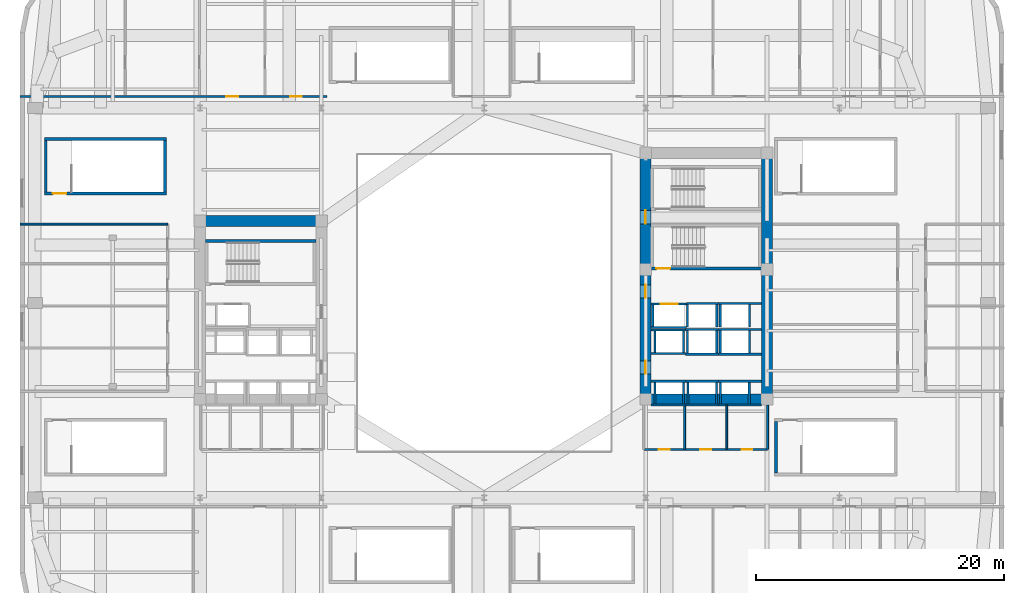
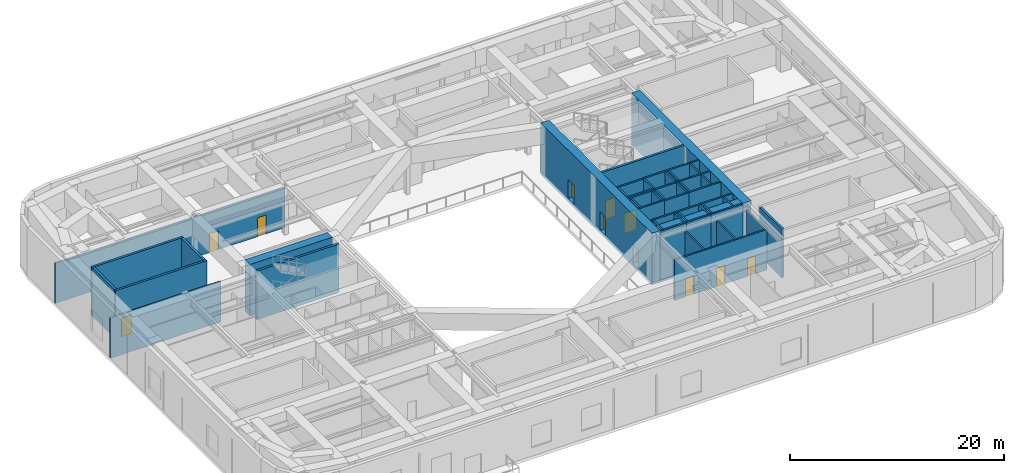
# One storey, part 8 of 16: 50 walls, 11 doors, 11 openings.
"""IFC4 building model written with IfcOpenShell, lengths in metres."""

from ifc_helpers import new_model, si_unit, direction, frame, frame_2d, origin, place, context, subcontext, project, spatial, rectangle, extrude, material, layer, layer_set, type_object, element, fill, save


model = new_model("IFC4")

# Units and contexts
model_context = context("Model", 3, precision=1e-05, world=origin(), true_north=direction((0.0, 1.0)))
body_context = subcontext(model_context, "Body", "Model", "MODEL_VIEW")
ifc_project = project(units=[si_unit("LENGTHUNIT", "METRE"), si_unit("AREAUNIT", "SQUARE_METRE"), si_unit("VOLUMEUNIT", "CUBIC_METRE"), si_unit("PLANEANGLEUNIT", "RADIAN"), si_unit("MASSUNIT", "GRAM", prefix="KILO")], contexts=[model_context])

# Site, building, storey
site_placement = place(None, origin())
site = spatial("IfcSite", under=ifc_project, at=site_placement, CompositionType="ELEMENT")
building_placement = place(site_placement, origin())
building = spatial("IfcBuilding", under=site, at=building_placement, Name="Kolvaren Arena Tower", CompositionType="ELEMENT")
storey_placement = place(building_placement, frame((0.0, 0.0, 28.0)))
storey = spatial("IfcBuildingStorey", under=building, at=storey_placement, Name="L05", CompositionType="ELEMENT", Elevation=28.0)

# Wall
ifc_material_1 = material(Name="Gypsum board acoustic assembly", Category="gypsum")
ifc_layer_1 = layer(ifc_material_1, 0.159912109375)
ifc_layer_set_1 = layer_set([ifc_layer_1], Name="Gypsum board acoustic assembly")
wall_type_1 = type_object("IfcWallType", Name="CORR-160", PredefinedType="PARTITIONING", material=ifc_layer_set_1)
wall_1_placement = place(storey_placement, frame((0.0, 33.60009765625, 0.0), z_axis=(0.0, 0.0, 1.0), x_axis=(1.0, 0.0, 0.0)))
element("IfcWall", 1, at=wall_1_placement, inside=storey, type_object=wall_type_1, Name="Interior Partition Wall (L05)", PredefinedType="PARTITIONING", context=body_context, shape_type="SweptSolid", body=[
    extrude(rectangle(XDim=11.919921875, YDim=0.159912109375, at=frame_2d((5.9599609375, 0.0))), origin(), (0.0, 0.0, 1.0), 4.610107421875),
])

# Wall, openings, doors
wall_2_placement = place(storey_placement, frame((0.0, 43.919921875, 0.0), z_axis=(0.0, 0.0, 1.0), x_axis=(1.0, 0.0, 0.0)))
wall_2 = element("IfcWall", 2, at=wall_2_placement, inside=storey, type_object=wall_type_1, Name="Interior Partition Wall (L05)", PredefinedType="PARTITIONING", context=body_context, shape_type="SweptSolid", body=[
    extrude(rectangle(XDim=24.800048828125, YDim=0.159912109375, at=frame_2d((12.39990234375, 0.0))), origin(), (0.0, 0.0, 1.0), 4.610107421875),
])
opening_1_placement = place(wall_2_placement, frame((16.669921875, 0.0, 0.0)))
opening_1 = element("IfcOpeningElement", 3, at=opening_1_placement, cuts=wall_2, Name="Opening D05", PredefinedType="OPENING", context=body_context, shape_type="SweptSolid", body=[
    extrude(rectangle(XDim=0.949951171875, YDim=2.14990234375, at=frame_2d((0.47509765625, 1.074951171875))), frame((0.0, 0.08984375, 0.0), z_axis=(0.0, -1.0, 0.0), x_axis=(1.0, 0.0, 0.0)), (0.0, 0.0, 1.0), 0.179931640625),
])
opening_2_placement = place(wall_2_placement, frame((21.820068359375, 0.0, 0.0)))
opening_2 = element("IfcOpeningElement", 4, at=opening_2_placement, cuts=wall_2, Name="Opening D05", PredefinedType="OPENING", context=body_context, shape_type="SweptSolid", body=[
    extrude(rectangle(XDim=0.949951171875, YDim=2.14990234375, at=frame_2d((0.47509765625, 1.074951171875))), frame((0.0, 0.08984375, 0.0), z_axis=(0.0, -1.0, 0.0), x_axis=(1.0, 0.0, 0.0)), (0.0, 0.0, 1.0), 0.179931640625),
])
ifc_material_2 = material(Name="Solid-core oak acoustic office door", Category="wood")
door_type_1 = type_object("IfcDoorType", Name="DOOR-OF-095", OperationType="NOTDEFINED", PredefinedType="DOOR", material=ifc_material_2)
door_1_placement = place(opening_1_placement, origin())
door_1 = element("IfcDoor", 5, at=door_1_placement, inside=storey, type_object=door_type_1, Name="Family Lounge Door (L05)", OperationType="SINGLE_SWING_LEFT", OverallHeight=2.14990234375, OverallWidth=0.949951171875, PredefinedType="DOOR", context=body_context, shape_type="SweptSolid", body=[
    extrude(rectangle(XDim=0.949951171875, YDim=2.14990234375, at=frame_2d((0.47509765625, 1.074951171875))), frame((0.0, 0.02490234375, 0.0), z_axis=(0.0, -1.0, 0.0), x_axis=(1.0, 0.0, 0.0)), (0.0, 0.0, 1.0), 0.050048828125),
])
fill(opening_1, door_1)
door_2_placement = place(opening_2_placement, origin())
door_2 = element("IfcDoor", 6, at=door_2_placement, inside=storey, type_object=door_type_1, Name="Meeting Room Door (L05)", OperationType="SINGLE_SWING_RIGHT", OverallHeight=2.14990234375, OverallWidth=0.949951171875, PredefinedType="DOOR", context=body_context, shape_type="SweptSolid", body=[
    extrude(rectangle(XDim=0.949951171875, YDim=2.14990234375, at=frame_2d((0.47509765625, 1.074951171875))), frame((0.0, 0.02490234375, 0.0), z_axis=(0.0, -1.0, 0.0), x_axis=(1.0, 0.0, 0.0)), (0.0, 0.0, 1.0), 0.050048828125),
])
fill(opening_2, door_2)

# Wall
ifc_material_3 = material(Name="Concrete 80 MPa", Category="concrete")
ifc_layer_2 = layer(ifc_material_3, 0.89990234375)
ifc_layer_set_2 = layer_set([ifc_layer_2], Name="Concrete 80 MPa")
wall_type_2 = type_object("IfcWallType", Name="CWALL-900", PredefinedType="SHEAR", material=ifc_layer_set_2)
wall_3_placement = place(storey_placement, frame((15.0, 33.85009765625, -0.35009765625), z_axis=(0.0, 0.0, 1.0), x_axis=(1.0, 0.0, 0.0)))
element("IfcWall", 7, at=wall_3_placement, inside=storey, type_object=wall_type_2, Name="Core Shear Wall WC-NORTH (L05)", PredefinedType="SHEAR", context=body_context, shape_type="SweptSolid", body=[
    extrude(rectangle(XDim=8.89990234375, YDim=0.89990234375, at=frame_2d((4.449951171875, 0.0))), origin(), (0.0, 0.0, 1.0), 5.900146484375),
])

# Wall, openings, doors
wall_4_placement = place(storey_placement, frame((50.550048828125, 19.0, -0.35009765625), z_axis=(0.0, 0.0, 1.0), x_axis=(0.0, 1.0, 0.0)))
wall_4 = element("IfcWall", 8, at=wall_4_placement, inside=storey, type_object=wall_type_2, Name="Core Shear Wall EC-WEST (L05)", PredefinedType="SHEAR", context=body_context, shape_type="SweptSolid", body=[
    extrude(rectangle(XDim=20.800048828125, YDim=0.89990234375, at=frame_2d((10.39990234375, 0.0))), origin(), (0.0, 0.0, 1.0), 5.900146484375),
])
opening_3_placement = place(wall_4_placement, frame((2.5, 0.0, 0.35009765625)))
opening_3 = element("IfcOpeningElement", 9, at=opening_3_placement, cuts=wall_4, Name="Opening D04", PredefinedType="OPENING", context=body_context, shape_type="SweptSolid", body=[
    extrude(rectangle(XDim=1.050048828125, YDim=2.14990234375, at=frame_2d((0.52490234375, 1.074951171875))), frame((0.0, 0.4599609375, 0.0), z_axis=(0.0, -1.0, 0.0), x_axis=(1.0, 0.0, 0.0)), (0.0, 0.0, 1.0), 0.919921875),
])
opening_4_placement = place(wall_4_placement, frame((8.64990234375, 0.0, 0.35009765625)))
opening_4 = element("IfcOpeningElement", 10, at=opening_4_placement, cuts=wall_4, Name="Opening D04", PredefinedType="OPENING", context=body_context, shape_type="SweptSolid", body=[
    extrude(rectangle(XDim=1.050048828125, YDim=2.14990234375, at=frame_2d((0.52490234375, 1.074951171875))), frame((0.0, 0.4599609375, 0.0), z_axis=(0.0, -1.0, 0.0), x_axis=(1.0, 0.0, 0.0)), (0.0, 0.0, 1.0), 0.919921875),
])
opening_5_placement = place(wall_4_placement, frame((14.6201171875, 0.0, 0.35009765625)))
opening_5 = element("IfcOpeningElement", 11, at=opening_5_placement, cuts=wall_4, Name="Opening D03", PredefinedType="OPENING", context=body_context, shape_type="SweptSolid", body=[
    extrude(rectangle(XDim=1.10009765625, YDim=2.14990234375, at=frame_2d((0.550048828125, 1.074951171875))), frame((0.0, 0.4599609375, 0.0), z_axis=(0.0, -1.0, 0.0), x_axis=(1.0, 0.0, 0.0)), (0.0, 0.0, 1.0), 0.919921875),
])
ifc_material_4 = material(Name="Fire-rated steel lobby door", Category="steel")
door_type_2 = type_object("IfcDoorType", Name="DOOR-FF-105", OperationType="NOTDEFINED", PredefinedType="DOOR", material=ifc_material_4)
door_3_placement = place(opening_3_placement, origin())
door_3 = element("IfcDoor", 12, at=door_3_placement, inside=storey, type_object=door_type_2, Name="East Lift Lobby Fire Door (L05)", OperationType="SINGLE_SWING_RIGHT", OverallHeight=2.14990234375, OverallWidth=1.050048828125, PredefinedType="DOOR", context=body_context, shape_type="SweptSolid", body=[
    extrude(rectangle(XDim=1.050048828125, YDim=2.14990234375, at=frame_2d((0.52490234375, 1.074951171875))), frame((0.0, 0.02490234375, 0.0), z_axis=(0.0, -1.0, 0.0), x_axis=(1.0, 0.0, 0.0)), (0.0, 0.0, 1.0), 0.050048828125),
])
fill(opening_3, door_3)
door_4_placement = place(opening_4_placement, origin())
door_4 = element("IfcDoor", 13, at=door_4_placement, inside=storey, type_object=door_type_2, Name="East Firefighter Vestibule Door (L05)", OperationType="SINGLE_SWING_LEFT", OverallHeight=2.14990234375, OverallWidth=1.050048828125, PredefinedType="DOOR", context=body_context, shape_type="SweptSolid", body=[
    extrude(rectangle(XDim=1.050048828125, YDim=2.14990234375, at=frame_2d((0.52490234375, 1.074951171875))), frame((0.0, 0.02490234375, 0.0), z_axis=(0.0, -1.0, 0.0), x_axis=(1.0, 0.0, 0.0)), (0.0, 0.0, 1.0), 0.050048828125),
])
fill(opening_4, door_4)
ifc_material_5 = material(Name="Fire-rated steel exit stair door", Category="steel")
door_type_3 = type_object("IfcDoorType", Name="DOOR-ST-110", OperationType="NOTDEFINED", PredefinedType="DOOR", material=ifc_material_5)
door_5_placement = place(opening_5_placement, origin())
door_5 = element("IfcDoor", 14, at=door_5_placement, inside=storey, type_object=door_type_3, Name="Stair ST-E2 Vestibule Fire Door (L05)", OperationType="SINGLE_SWING_LEFT", OverallHeight=2.14990234375, OverallWidth=1.10009765625, PredefinedType="DOOR", context=body_context, shape_type="SweptSolid", body=[
    extrude(rectangle(XDim=1.10009765625, YDim=2.14990234375, at=frame_2d((0.550048828125, 1.074951171875))), frame((0.0, 0.02490234375, 0.0), z_axis=(0.0, -1.0, 0.0), x_axis=(1.0, 0.0, 0.0)), (0.0, 0.0, 1.0), 0.050048828125),
])
fill(opening_5, door_5)

# Walls
wall_5_placement = place(storey_placement, frame((60.35009765625, 19.0, -0.35009765625), z_axis=(0.0, 0.0, 1.0), x_axis=(0.0, 1.0, 0.0)))
element("IfcWall", 15, at=wall_5_placement, inside=storey, type_object=wall_type_2, Name="Core Shear Wall EC-EAST (L05)", PredefinedType="SHEAR", context=body_context, shape_type="SweptSolid", body=[
    extrude(rectangle(XDim=20.800048828125, YDim=0.89990234375, at=frame_2d((10.39990234375, 0.0))), origin(), (0.0, 0.0, 1.0), 5.900146484375),
])
wall_6_placement = place(storey_placement, frame((51.0, 19.449951171875, -0.35009765625), z_axis=(0.0, 0.0, 1.0), x_axis=(1.0, 0.0, 0.0)))
element("IfcWall", 16, at=wall_6_placement, inside=storey, type_object=wall_type_2, Name="Core Shear Wall EC-SOUTH (L05)", PredefinedType="SHEAR", context=body_context, shape_type="SweptSolid", body=[
    extrude(rectangle(XDim=8.89990234375, YDim=0.89990234375, at=frame_2d((4.449951171875, 0.0))), origin(), (0.0, 0.0, 1.0), 5.900146484375),
])
ifc_material_6 = material(Name="Concrete 45 MPa", Category="concrete")
ifc_layer_3 = layer(ifc_material_6, 0.25)
ifc_layer_set_3 = layer_set([ifc_layer_3], Name="Concrete 45 MPa")
wall_type_3 = type_object("IfcWallType", Name="SHAFT-250", PredefinedType="SOLIDWALL", material=ifc_layer_set_3)
wall_7_placement = place(storey_placement, frame((61.080078125, 13.5, 0.0), z_axis=(0.0, 0.0, 1.0), x_axis=(0.0, 1.0, 0.0)))
element("IfcWall", 17, at=wall_7_placement, inside=storey, type_object=wall_type_3, Name="Stair ST-A4 West Shaft Wall (L05)", PredefinedType="SOLIDWALL", context=body_context, shape_type="SweptSolid", body=[
    extrude(rectangle(XDim=4.14990234375, YDim=0.239990234375, at=frame_2d((2.074951171875, 0.0))), origin(), (0.0, 0.0, 1.0), 5.550048828125),
])

# Wall, opening, door
wall_8_placement = place(storey_placement, frame((11.840087890625, 36.080078125, 0.0), z_axis=(0.0, 0.0, 1.0), x_axis=(-1.0, 0.0, 0.0)))
wall_8 = element("IfcWall", 18, at=wall_8_placement, inside=storey, type_object=wall_type_3, Name="Stair ST-A5 Rated Enclosure Wall (L05)", PredefinedType="SOLIDWALL", context=body_context, shape_type="SweptSolid", body=[
    extrude(rectangle(XDim=9.880126953125, YDim=0.239990234375, at=frame_2d((4.93994140625, 0.0))), origin(), (0.0, 0.0, 1.0), 5.550048828125),
])
opening_6_placement = place(wall_8_placement, frame((8.090087890625, 0.0, 0.0)))
opening_6 = element("IfcOpeningElement", 19, at=opening_6_placement, cuts=wall_8, Name="Opening D03", PredefinedType="OPENING", context=body_context, shape_type="SweptSolid", body=[
    extrude(rectangle(XDim=1.10009765625, YDim=2.14990234375, at=frame_2d((0.550048828125, 1.074951171875))), frame((0.0, 0.1298828125, 0.0), z_axis=(0.0, -1.0, 0.0), x_axis=(1.0, 0.0, 0.0)), (0.0, 0.0, 1.0), 0.260009765625),
])
door_6_placement = place(opening_6_placement, origin())
door_6 = element("IfcDoor", 20, at=door_6_placement, inside=storey, type_object=door_type_3, Name="Exit Stair ST-A5 Fire Door (L05)", OperationType="SINGLE_SWING_RIGHT", OverallHeight=2.14990234375, OverallWidth=1.10009765625, PredefinedType="DOOR", context=body_context, shape_type="SweptSolid", body=[
    extrude(rectangle(XDim=1.10009765625, YDim=2.14990234375, at=frame_2d((0.550048828125, 1.074951171875))), frame((0.0, 0.02490234375, 0.0), z_axis=(0.0, -1.0, 0.0), x_axis=(1.0, 0.0, 0.0)), (0.0, 0.0, 1.0), 0.050048828125),
])
fill(opening_6, door_6)

# Walls
wall_9_placement = place(storey_placement, frame((1.9599609375, 40.469970703125, 0.0), z_axis=(0.0, 0.0, 1.0), x_axis=(1.0, 0.0, 0.0)))
element("IfcWall", 21, at=wall_9_placement, inside=storey, type_object=wall_type_3, Name="Stair ST-A5 Rear Shaft Wall (L05)", PredefinedType="SOLIDWALL", context=body_context, shape_type="SweptSolid", body=[
    extrude(rectangle(XDim=9.880126953125, YDim=0.239990234375, at=frame_2d((4.93994140625, 0.0))), origin(), (0.0, 0.0, 1.0), 5.550048828125),
])
for number, where, z_axis, x_axis, name in (
    (22, (2.080078125, 36.199951171875, 0.0), (0.0, 0.0, 1.0), (0.0, 1.0, 0.0), "Stair ST-A5 West Shaft Wall (L05)"),
    (23, (11.719970703125, 36.199951171875, 0.0), (0.0, 0.0, 1.0), (0.0, 1.0, 0.0), "Stair ST-A5 East Shaft Wall (L05)"),
):
    element("IfcWall", number, at=place(storey_placement, frame(where, z_axis=z_axis, x_axis=x_axis)), inside=storey, type_object=wall_type_3, Name=name, PredefinedType="SOLIDWALL", context=body_context, shape_type="SweptSolid", body=[
        extrude(rectangle(XDim=4.150146484375, YDim=0.239990234375, at=frame_2d((2.0751953125, 0.0))), origin(), (0.0, 0.0, 1.0), 5.550048828125),
    ])
wall_10_placement = place(storey_placement, frame((15.0, 32.25, 0.0), z_axis=(0.0, 0.0, 1.0), x_axis=(1.0, 0.0, 0.0)))
element("IfcWall", 24, at=wall_10_placement, inside=storey, type_object=wall_type_3, Name="Core Shaft Wall (L05)", PredefinedType="SOLIDWALL", context=body_context, shape_type="SweptSolid", body=[
    extrude(rectangle(XDim=8.89990234375, YDim=0.239990234375, at=frame_2d((4.449951171875, 0.0))), origin(), (0.0, 0.0, 1.0), 5.550048828125),
])

# Wall, opening, door
wall_11_placement = place(storey_placement, frame((59.89990234375, 30.030029296875, 0.0), z_axis=(0.0, 0.0, 1.0), x_axis=(-1.0, 0.0, 0.0)))
wall_11 = element("IfcWall", 25, at=wall_11_placement, inside=storey, type_object=wall_type_3, Name="Core Shaft Wall (L05)", PredefinedType="SOLIDWALL", context=body_context, shape_type="SweptSolid", body=[
    extrude(rectangle(XDim=8.89990234375, YDim=0.239990234375, at=frame_2d((4.449951171875, 0.0))), origin(), (0.0, 0.0, 1.0), 5.550048828125),
])
opening_7_placement = place(wall_11_placement, frame((7.3798828125, 0.0, 0.0)))
opening_7 = element("IfcOpeningElement", 26, at=opening_7_placement, cuts=wall_11, Name="Opening D03", PredefinedType="OPENING", context=body_context, shape_type="SweptSolid", body=[
    extrude(rectangle(XDim=1.10009765625, YDim=2.14990234375, at=frame_2d((0.550048828125, 1.074951171875))), frame((0.0, 0.1298828125, 0.0), z_axis=(0.0, -1.0, 0.0), x_axis=(1.0, 0.0, 0.0)), (0.0, 0.0, 1.0), 0.260009765625),
])
door_7_placement = place(opening_7_placement, origin())
door_7 = element("IfcDoor", 27, at=door_7_placement, inside=storey, type_object=door_type_3, Name="Stair ST-E1 Fire Door (L05)", OperationType="SINGLE_SWING_LEFT", OverallHeight=2.14990234375, OverallWidth=1.10009765625, PredefinedType="DOOR", context=body_context, shape_type="SweptSolid", body=[
    extrude(rectangle(XDim=1.10009765625, YDim=2.14990234375, at=frame_2d((0.550048828125, 1.074951171875))), frame((0.0, 0.02490234375, 0.0), z_axis=(0.0, -1.0, 0.0), x_axis=(1.0, 0.0, 0.0)), (0.0, 0.0, 1.0), 0.050048828125),
])
fill(opening_7, door_7)

# Walls
for number, where, z_axis, x_axis, name in (
    (28, (51.0, 20.905029296875, 0.0), (0.0, 0.0, 1.0), (1.0, 0.0, 0.0), "Core Shaft Wall (L05)"),
    (29, (51.0, 18.9951171875, 0.0), (0.0, 0.0, 1.0), (1.0, 0.0, 0.0), "Core Shaft Wall (L05)"),
):
    element("IfcWall", number, at=place(storey_placement, frame(where, z_axis=z_axis, x_axis=x_axis)), inside=storey, type_object=wall_type_3, Name=name, PredefinedType="SOLIDWALL", context=body_context, shape_type="SweptSolid", body=[
        extrude(rectangle(XDim=2.7900390625, YDim=0.179931640625, at=frame_2d((1.39501953125, 0.0))), origin(), (0.0, 0.0, 1.0), 5.550048828125),
    ])
for number, where, z_axis, x_axis, name in (
    (30, (51.304931640625, 19.0849609375, 0.0), (0.0, 0.0, 1.0), (0.0, 1.0, 0.0), "Core Shaft Wall (L05)"),
    (31, (53.614990234375, 19.0849609375, 0.0), (0.0, 0.0, 1.0), (0.0, 1.0, 0.0), "Core Shaft Wall (L05)"),
):
    element("IfcWall", number, at=place(storey_placement, frame(where, z_axis=z_axis, x_axis=x_axis)), inside=storey, type_object=wall_type_3, Name=name, PredefinedType="SOLIDWALL", context=body_context, shape_type="SweptSolid", body=[
        extrude(rectangle(XDim=1.72998046875, YDim=0.179931640625, at=frame_2d((0.864990234375, 0.0))), origin(), (0.0, 0.0, 1.0), 5.550048828125),
    ])
for number, where, z_axis, x_axis, name in (
    (32, (53.7900390625, 20.905029296875, 0.0), (0.0, 0.0, 1.0), (1.0, 0.0, 0.0), "Core Shaft Wall (L05)"),
    (33, (53.7900390625, 18.9951171875, 0.0), (0.0, 0.0, 1.0), (1.0, 0.0, 0.0), "Core Shaft Wall (L05)"),
):
    element("IfcWall", number, at=place(storey_placement, frame(where, z_axis=z_axis, x_axis=x_axis)), inside=storey, type_object=wall_type_3, Name=name, PredefinedType="SOLIDWALL", context=body_context, shape_type="SweptSolid", body=[
        extrude(rectangle(XDim=2.64990234375, YDim=0.179931640625, at=frame_2d((1.324951171875, 0.0))), origin(), (0.0, 0.0, 1.0), 5.550048828125),
    ])
for number, where, z_axis, x_axis, name in (
    (34, (53.965087890625, 19.0849609375, 0.0), (0.0, 0.0, 1.0), (0.0, 1.0, 0.0), "Core Shaft Wall (L05)"),
    (35, (56.27490234375, 19.0849609375, 0.0), (0.0, 0.0, 1.0), (0.0, 1.0, 0.0), "Core Shaft Wall (L05)"),
):
    element("IfcWall", number, at=place(storey_placement, frame(where, z_axis=z_axis, x_axis=x_axis)), inside=storey, type_object=wall_type_3, Name=name, PredefinedType="SOLIDWALL", context=body_context, shape_type="SweptSolid", body=[
        extrude(rectangle(XDim=1.72998046875, YDim=0.179931640625, at=frame_2d((0.864990234375, 0.0))), origin(), (0.0, 0.0, 1.0), 5.550048828125),
    ])
for number, where, z_axis, x_axis, name in (
    (36, (56.43994140625, 20.905029296875, 0.0), (0.0, 0.0, 1.0), (1.0, 0.0, 0.0), "Core Shaft Wall (L05)"),
    (37, (56.43994140625, 18.9951171875, 0.0), (0.0, 0.0, 1.0), (1.0, 0.0, 0.0), "Core Shaft Wall (L05)"),
):
    element("IfcWall", number, at=place(storey_placement, frame(where, z_axis=z_axis, x_axis=x_axis)), inside=storey, type_object=wall_type_3, Name=name, PredefinedType="SOLIDWALL", context=body_context, shape_type="SweptSolid", body=[
        extrude(rectangle(XDim=3.4599609375, YDim=0.179931640625, at=frame_2d((1.72998046875, 0.0))), origin(), (0.0, 0.0, 1.0), 5.550048828125),
    ])
for number, where, z_axis, x_axis, name in (
    (38, (56.60498046875, 19.0849609375, 0.0), (0.0, 0.0, 1.0), (0.0, 1.0, 0.0), "Core Shaft Wall (L05)"),
    (39, (58.9150390625, 19.0849609375, 0.0), (0.0, 0.0, 1.0), (0.0, 1.0, 0.0), "Core Shaft Wall (L05)"),
):
    element("IfcWall", number, at=place(storey_placement, frame(where, z_axis=z_axis, x_axis=x_axis)), inside=storey, type_object=wall_type_3, Name=name, PredefinedType="SOLIDWALL", context=body_context, shape_type="SweptSolid", body=[
        extrude(rectangle(XDim=1.72998046875, YDim=0.179931640625, at=frame_2d((0.864990234375, 0.0))), origin(), (0.0, 0.0, 1.0), 5.550048828125),
    ])
for number, where, z_axis, x_axis, name in (
    (40, (51.0, 25.054931640625, 0.0), (0.0, 0.0, 1.0), (1.0, 0.0, 0.0), "Core Shaft Wall (L05)"),
    (41, (51.0, 23.14501953125, 0.0), (0.0, 0.0, 1.0), (1.0, 0.0, 0.0), "Core Shaft Wall (L05)"),
):
    element("IfcWall", number, at=place(storey_placement, frame(where, z_axis=z_axis, x_axis=x_axis)), inside=storey, type_object=wall_type_3, Name=name, PredefinedType="SOLIDWALL", context=body_context, shape_type="SweptSolid", body=[
        extrude(rectangle(XDim=2.777587890625, YDim=0.179931640625, at=frame_2d((1.388671875, 0.0))), origin(), (0.0, 0.0, 1.0), 5.550048828125),
    ])
for number, where, z_axis, x_axis, name in (
    (42, (51.304931640625, 23.235107421875, 0.0), (0.0, 0.0, 1.0), (0.0, 1.0, 0.0), "Core Shaft Wall (L05)"),
    (43, (53.614990234375, 23.235107421875, 0.0), (0.0, 0.0, 1.0), (0.0, 1.0, 0.0), "Core Shaft Wall (L05)"),
):
    element("IfcWall", number, at=place(storey_placement, frame(where, z_axis=z_axis, x_axis=x_axis)), inside=storey, type_object=wall_type_3, Name=name, PredefinedType="SOLIDWALL", context=body_context, shape_type="SweptSolid", body=[
        extrude(rectangle(XDim=1.72998046875, YDim=0.179931640625, at=frame_2d((0.864990234375, 0.0))), origin(), (0.0, 0.0, 1.0), 5.550048828125),
    ])
for number, where, z_axis, x_axis, name in (
    (44, (53.777587890625, 25.10498046875, 0.0), (0.0, 0.0, 1.0), (1.0, 0.0, 0.0), "Core Shaft Wall (L05)"),
    (45, (53.777587890625, 23.094970703125, 0.0), (0.0, 0.0, 1.0), (1.0, 0.0, 0.0), "Core Shaft Wall (L05)"),
):
    element("IfcWall", number, at=place(storey_placement, frame(where, z_axis=z_axis, x_axis=x_axis)), inside=storey, type_object=wall_type_3, Name=name, PredefinedType="SOLIDWALL", context=body_context, shape_type="SweptSolid", body=[
        extrude(rectangle(XDim=2.662353515625, YDim=0.179931640625, at=frame_2d((1.3310546875, 0.0))), origin(), (0.0, 0.0, 1.0), 5.550048828125),
    ])
for number, where, z_axis, x_axis, name in (
    (46, (53.93994140625, 23.18505859375, 0.0), (0.0, 0.0, 1.0), (0.0, 1.0, 0.0), "Core Shaft Wall (L05)"),
    (47, (56.300048828125, 23.18505859375, 0.0), (0.0, 0.0, 1.0), (0.0, 1.0, 0.0), "Core Shaft Wall (L05)"),
):
    element("IfcWall", number, at=place(storey_placement, frame(where, z_axis=z_axis, x_axis=x_axis)), inside=storey, type_object=wall_type_3, Name=name, PredefinedType="SOLIDWALL", context=body_context, shape_type="SweptSolid", body=[
        extrude(rectangle(XDim=1.829833984375, YDim=0.179931640625, at=frame_2d((0.9150390625, 0.0))), origin(), (0.0, 0.0, 1.0), 5.550048828125),
    ])
for number, where, z_axis, x_axis, name in (
    (48, (56.43994140625, 25.10498046875, 0.0), (0.0, 0.0, 1.0), (1.0, 0.0, 0.0), "Core Shaft Wall (L05)"),
    (49, (56.43994140625, 23.094970703125, 0.0), (0.0, 0.0, 1.0), (1.0, 0.0, 0.0), "Core Shaft Wall (L05)"),
):
    element("IfcWall", number, at=place(storey_placement, frame(where, z_axis=z_axis, x_axis=x_axis)), inside=storey, type_object=wall_type_3, Name=name, PredefinedType="SOLIDWALL", context=body_context, shape_type="SweptSolid", body=[
        extrude(rectangle(XDim=3.4599609375, YDim=0.179931640625, at=frame_2d((1.72998046875, 0.0))), origin(), (0.0, 0.0, 1.0), 5.550048828125),
    ])
for number, where, z_axis, x_axis, name in (
    (50, (56.580078125, 23.18505859375, 0.0), (0.0, 0.0, 1.0), (0.0, 1.0, 0.0), "Core Shaft Wall (L05)"),
    (51, (58.93994140625, 23.18505859375, 0.0), (0.0, 0.0, 1.0), (0.0, 1.0, 0.0), "Core Shaft Wall (L05)"),
):
    element("IfcWall", number, at=place(storey_placement, frame(where, z_axis=z_axis, x_axis=x_axis)), inside=storey, type_object=wall_type_3, Name=name, PredefinedType="SOLIDWALL", context=body_context, shape_type="SweptSolid", body=[
        extrude(rectangle(XDim=1.829833984375, YDim=0.179931640625, at=frame_2d((0.9150390625, 0.0))), origin(), (0.0, 0.0, 1.0), 5.550048828125),
    ])
wall_12_placement = place(storey_placement, frame((53.864990234375, 27.205078125, 0.0), z_axis=(0.0, 0.0, 1.0), x_axis=(1.0, 0.0, 0.0)))
element("IfcWall", 52, at=wall_12_placement, inside=storey, type_object=wall_type_3, Name="Core Shaft Wall (L05)", PredefinedType="SOLIDWALL", context=body_context, shape_type="SweptSolid", body=[
    extrude(rectangle(XDim=2.574951171875, YDim=0.179931640625, at=frame_2d((1.28759765625, 0.0))), origin(), (0.0, 0.0, 1.0), 5.550048828125),
])
for number, where, z_axis, x_axis, name in (
    (53, (53.93994140625, 25.284912109375, 0.0), (0.0, 0.0, 1.0), (0.0, 1.0, 0.0), "Core Shaft Wall (L05)"),
    (54, (56.300048828125, 25.284912109375, 0.0), (0.0, 0.0, 1.0), (0.0, 1.0, 0.0), "Core Shaft Wall (L05)"),
):
    element("IfcWall", number, at=place(storey_placement, frame(where, z_axis=z_axis, x_axis=x_axis)), inside=storey, type_object=wall_type_3, Name=name, PredefinedType="SOLIDWALL", context=body_context, shape_type="SweptSolid", body=[
        extrude(rectangle(XDim=1.830078125, YDim=0.179931640625, at=frame_2d((0.9150390625, 0.0))), origin(), (0.0, 0.0, 1.0), 5.550048828125),
    ])
wall_13_placement = place(storey_placement, frame((56.43994140625, 27.205078125, 0.0), z_axis=(0.0, 0.0, 1.0), x_axis=(1.0, 0.0, 0.0)))
element("IfcWall", 55, at=wall_13_placement, inside=storey, type_object=wall_type_3, Name="Core Shaft Wall (L05)", PredefinedType="SOLIDWALL", context=body_context, shape_type="SweptSolid", body=[
    extrude(rectangle(XDim=3.4599609375, YDim=0.179931640625, at=frame_2d((1.72998046875, 0.0))), origin(), (0.0, 0.0, 1.0), 5.550048828125),
])
for number, where, z_axis, x_axis, name in (
    (56, (56.580078125, 25.284912109375, 0.0), (0.0, 0.0, 1.0), (0.0, 1.0, 0.0), "Core Shaft Wall (L05)"),
    (57, (58.93994140625, 25.284912109375, 0.0), (0.0, 0.0, 1.0), (0.0, 1.0, 0.0), "Core Shaft Wall (L05)"),
):
    element("IfcWall", number, at=place(storey_placement, frame(where, z_axis=z_axis, x_axis=x_axis)), inside=storey, type_object=wall_type_3, Name=name, PredefinedType="SOLIDWALL", context=body_context, shape_type="SweptSolid", body=[
        extrude(rectangle(XDim=1.830078125, YDim=0.179931640625, at=frame_2d((0.9150390625, 0.0))), origin(), (0.0, 0.0, 1.0), 5.550048828125),
    ])

# Wall, opening, door
wall_14_placement = place(storey_placement, frame((51.0, 27.155029296875, 0.0), z_axis=(0.0, 0.0, 1.0), x_axis=(1.0, 0.0, 0.0)))
wall_14 = element("IfcWall", 58, at=wall_14_placement, inside=storey, type_object=wall_type_3, Name="Core Shaft Wall (L05)", PredefinedType="SOLIDWALL", context=body_context, shape_type="SweptSolid", body=[
    extrude(rectangle(XDim=2.864990234375, YDim=0.179931640625, at=frame_2d((1.4326171875, 0.0))), origin(), (0.0, 0.0, 1.0), 5.550048828125),
])
opening_8_placement = place(wall_14_placement, frame((0.784912109375, 0.0, 0.0)))
opening_8 = element("IfcOpeningElement", 59, at=opening_8_placement, cuts=wall_14, Name="Opening LD2", PredefinedType="OPENING", context=body_context, shape_type="SweptSolid", body=[
    extrude(rectangle(XDim=1.35009765625, YDim=2.300048828125, at=frame_2d((0.675048828125, 1.14990234375))), frame((0.0, 0.099853515625, 0.0), z_axis=(0.0, -1.0, 0.0), x_axis=(1.0, 0.0, 0.0)), (0.0, 0.0, 1.0), 0.199951171875),
])
ifc_material_7 = material(Name="Stainless steel firefighter lift landing door", Category="steel")
door_type_4 = type_object("IfcDoorType", Name="DOOR-LD-135", OperationType="DOUBLE_DOOR_SLIDING", PredefinedType="DOOR", material=ifc_material_7)
door_8_placement = place(opening_8_placement, origin())
door_8 = element("IfcDoor", 60, at=door_8_placement, inside=storey, type_object=door_type_4, Name="Firefighter Lift FF-E1 Landing Door (L05)", OperationType="DOUBLE_DOOR_SLIDING", OverallHeight=2.300048828125, OverallWidth=1.35009765625, PredefinedType="DOOR", context=body_context, shape_type="SweptSolid", body=[
    extrude(rectangle(XDim=1.35009765625, YDim=2.300048828125, at=frame_2d((0.675048828125, 1.14990234375))), frame((0.0, 0.02490234375, 0.0), z_axis=(0.0, -1.0, 0.0), x_axis=(1.0, 0.0, 0.0)), (0.0, 0.0, 1.0), 0.050048828125),
])
fill(opening_8, door_8)

# Walls
wall_15_placement = place(storey_placement, frame((51.0, 25.2451171875, 0.0), z_axis=(0.0, 0.0, 1.0), x_axis=(1.0, 0.0, 0.0)))
element("IfcWall", 61, at=wall_15_placement, inside=storey, type_object=wall_type_3, Name="Core Shaft Wall (L05)", PredefinedType="SOLIDWALL", context=body_context, shape_type="SweptSolid", body=[
    extrude(rectangle(XDim=2.864990234375, YDim=0.179931640625, at=frame_2d((1.4326171875, 0.0))), origin(), (0.0, 0.0, 1.0), 5.550048828125),
])
wall_16_placement = place(storey_placement, frame((51.1298828125, 25.3349609375, 0.0), z_axis=(0.0, 0.0, 1.0), x_axis=(0.0, 1.0, 0.0)))
element("IfcWall", 62, at=wall_16_placement, inside=storey, type_object=wall_type_3, Name="Core Shaft Wall (L05)", PredefinedType="SOLIDWALL", context=body_context, shape_type="SweptSolid", body=[
    extrude(rectangle(XDim=1.72998046875, YDim=0.179931640625, at=frame_2d((0.864990234375, 0.0))), origin(), (0.0, 0.0, 1.0), 5.550048828125),
])

# Wall, openings, doors
wall_17_placement = place(storey_placement, frame((50.39990234375, 15.39990234375, 0.0), z_axis=(0.0, 0.0, 1.0), x_axis=(1.0, 0.0, 0.0)))
wall_17 = element("IfcWall", 63, at=wall_17_placement, inside=storey, type_object=wall_type_3, Name="Interior Partition Wall (L05)", PredefinedType="SOLIDWALL", context=body_context, shape_type="SweptSolid", body=[
    extrude(rectangle(XDim=10.0, YDim=0.179931640625, at=frame_2d((5.0, 0.0))), origin(), (0.0, 0.0, 1.0), 4.610107421875),
])
opening_9_placement = place(wall_17_placement, frame((1.18994140625, 0.0, 0.0)))
opening_9 = element("IfcOpeningElement", 64, at=opening_9_placement, cuts=wall_17, Name="Opening D07", PredefinedType="OPENING", context=body_context, shape_type="SweptSolid", body=[
    extrude(rectangle(XDim=0.919921875, YDim=2.10009765625, at=frame_2d((0.4599609375, 1.050048828125))), frame((0.0, 0.099853515625, 0.0), z_axis=(0.0, -1.0, 0.0), x_axis=(1.0, 0.0, 0.0)), (0.0, 0.0, 1.0), 0.199951171875),
])
opening_10_placement = place(wall_17_placement, frame((4.5400390625, 0.0, 0.0)))
opening_10 = element("IfcOpeningElement", 65, at=opening_10_placement, cuts=wall_17, Name="Opening D07", PredefinedType="OPENING", context=body_context, shape_type="SweptSolid", body=[
    extrude(rectangle(XDim=0.919921875, YDim=2.10009765625, at=frame_2d((0.4599609375, 1.050048828125))), frame((0.0, 0.099853515625, 0.0), z_axis=(0.0, -1.0, 0.0), x_axis=(1.0, 0.0, 0.0)), (0.0, 0.0, 1.0), 0.199951171875),
])
opening_11_placement = place(wall_17_placement, frame((7.919921875, 0.0, 0.0)))
opening_11 = element("IfcOpeningElement", 66, at=opening_11_placement, cuts=wall_17, Name="Opening D09", PredefinedType="OPENING", context=body_context, shape_type="SweptSolid", body=[
    extrude(rectangle(XDim=0.860107421875, YDim=2.050048828125, at=frame_2d((0.43017578125, 1.02490234375))), frame((0.0, 0.099853515625, 0.0), z_axis=(0.0, -1.0, 0.0), x_axis=(1.0, 0.0, 0.0)), (0.0, 0.0, 1.0), 0.199951171875),
])
ifc_material_8 = material(Name="Fire-rated steel riser access door", Category="steel")
door_type_5 = type_object("IfcDoorType", Name="DOOR-RS-086", OperationType="NOTDEFINED", PredefinedType="DOOR", material=ifc_material_8)
door_9_placement = place(opening_11_placement, origin())
door_9 = element("IfcDoor", 67, at=door_9_placement, inside=storey, type_object=door_type_5, Name="Mechanical Riser Closet Door (L05)", OperationType="SINGLE_SWING_LEFT", OverallHeight=2.050048828125, OverallWidth=0.860107421875, PredefinedType="DOOR", context=body_context, shape_type="SweptSolid", body=[
    extrude(rectangle(XDim=0.860107421875, YDim=2.050048828125, at=frame_2d((0.43017578125, 1.02490234375))), frame((0.0, 0.02490234375, 0.0), z_axis=(0.0, -1.0, 0.0), x_axis=(1.0, 0.0, 0.0)), (0.0, 0.0, 1.0), 0.050048828125),
])
fill(opening_11, door_9)
ifc_material_9 = material(Name="Laminate universal washroom door", Category="wood")
door_type_6 = type_object("IfcDoorType", Name="DOOR-WC-092", OperationType="NOTDEFINED", PredefinedType="DOOR", material=ifc_material_9)
door_10_placement = place(opening_9_placement, origin())
door_10 = element("IfcDoor", 68, at=door_10_placement, inside=storey, type_object=door_type_6, Name="Staff Pantry Door (L05)", OperationType="SINGLE_SWING_LEFT", OverallHeight=2.10009765625, OverallWidth=0.919921875, PredefinedType="DOOR", context=body_context, shape_type="SweptSolid", body=[
    extrude(rectangle(XDim=0.919921875, YDim=2.10009765625, at=frame_2d((0.4599609375, 1.050048828125))), frame((0.0, 0.02490234375, 0.0), z_axis=(0.0, -1.0, 0.0), x_axis=(1.0, 0.0, 0.0)), (0.0, 0.0, 1.0), 0.050048828125),
])
fill(opening_9, door_10)
door_11_placement = place(opening_10_placement, origin())
door_11 = element("IfcDoor", 69, at=door_11_placement, inside=storey, type_object=door_type_6, Name="Gender-Neutral Washroom Door (L05)", OperationType="SINGLE_SWING_RIGHT", OverallHeight=2.10009765625, OverallWidth=0.919921875, PredefinedType="DOOR", context=body_context, shape_type="SweptSolid", body=[
    extrude(rectangle(XDim=0.919921875, YDim=2.10009765625, at=frame_2d((0.4599609375, 1.050048828125))), frame((0.0, 0.02490234375, 0.0), z_axis=(0.0, -1.0, 0.0), x_axis=(1.0, 0.0, 0.0)), (0.0, 0.0, 1.0), 0.050048828125),
])
fill(opening_10, door_11)

# Walls
ifc_material_10 = material(Name="Moisture-resistant gypsum assembly", Category="gypsum")
ifc_layer_4 = layer(ifc_material_10, 0.14990234375)
ifc_layer_set_4 = layer_set([ifc_layer_4], Name="Moisture-resistant gypsum assembly")
wall_type_4 = type_object("IfcWallType", Name="WETW-150", PredefinedType="PARTITIONING", material=ifc_layer_set_4)
for number, where, z_axis, x_axis, name in (
    (70, (53.699951171875, 15.39990234375, 0.0), (0.0, 0.0, 1.0), (0.0, 1.0, 0.0), "Interior Partition Wall (L05)"),
    (71, (57.10009765625, 15.39990234375, 0.0), (0.0, 0.0, 1.0), (0.0, 1.0, 0.0), "Interior Partition Wall (L05)"),
    (72, (60.39990234375, 15.39990234375, 0.0), (0.0, 0.0, 1.0), (0.0, 1.0, 0.0), "Interior Partition Wall (L05)"),
):
    element("IfcWall", number, at=place(storey_placement, frame(where, z_axis=z_axis, x_axis=x_axis)), inside=storey, type_object=wall_type_4, Name=name, PredefinedType="PARTITIONING", context=body_context, shape_type="SweptSolid", body=[
        extrude(rectangle(XDim=3.580078125, YDim=0.14990234375, at=frame_2d((1.7900390625, 0.0))), origin(), (0.0, 0.0, 1.0), 4.610107421875),
    ])

save(model, "model.ifc")
